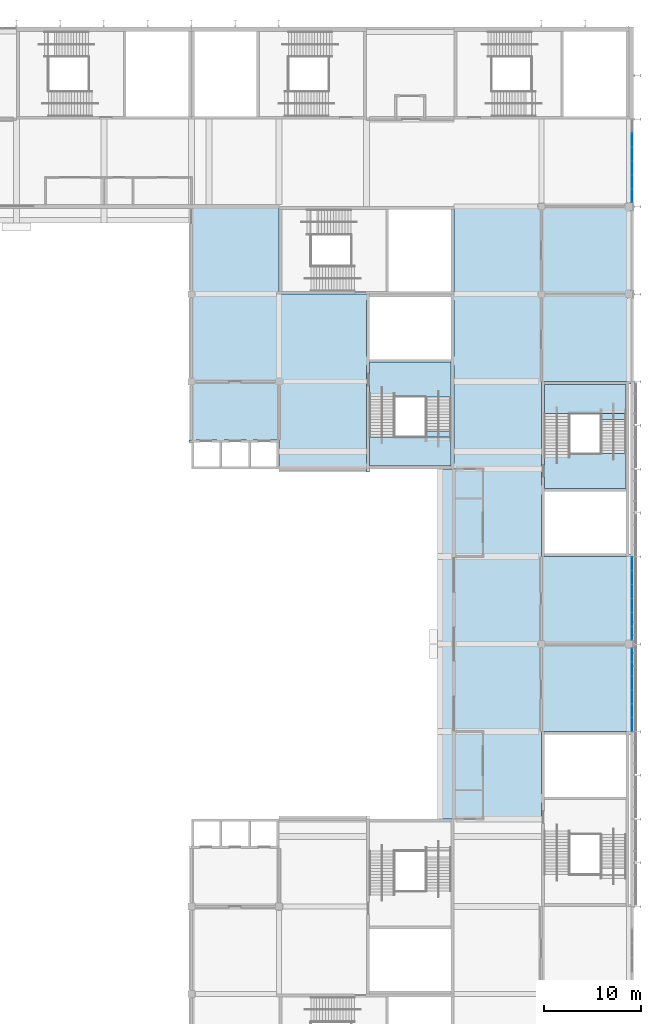
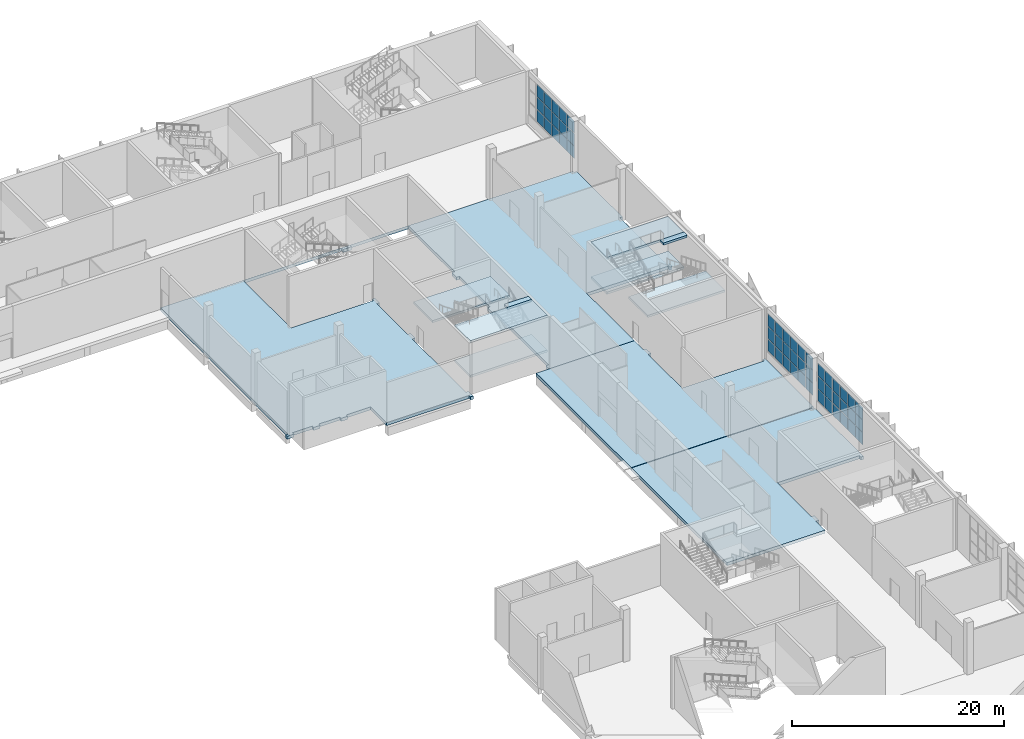
# One storey, part 35 of 89: 51 plates, 11 slabs, 5 elements without a shape of their own.
"""IFC4 building model written with IfcOpenShell, lengths in metres."""

from ifc_helpers import new_model, si_unit, direction, frame, origin, origin_2d, place, context, subcontext, project, spatial, polyline, rectangle, outline, extrude, material, layer, layer_set, type_object, element, aggregate, save


model = new_model("IFC4")

# Units and contexts
model_context = context("Model", 3, precision=1e-05, world=origin(), true_north=direction((0.0, 1.0)))
body_context = subcontext(model_context, "Body", "Model", "MODEL_VIEW")
ifc_project = project(units=[si_unit("LENGTHUNIT", "METRE"), si_unit("AREAUNIT", "SQUARE_METRE"), si_unit("VOLUMEUNIT", "CUBIC_METRE"), si_unit("PLANEANGLEUNIT", "RADIAN"), si_unit("MASSUNIT", "GRAM", prefix="KILO")], contexts=[model_context])

# Site, building, storey
site_placement = place(None, origin())
site = spatial("IfcSite", under=ifc_project, at=site_placement, CompositionType="ELEMENT")
building_placement = place(site_placement, origin())
building = spatial("IfcBuilding", under=site, at=building_placement, Name="Silverbay Arena", CompositionType="ELEMENT")
storey_placement = place(building_placement, frame((0.0, 0.0, 22.0)))
storey = spatial("IfcBuildingStorey", under=building, at=storey_placement, Name="L03", CompositionType="ELEMENT", Elevation=22.0)

# Curtain wall, plates
ifc_material_1 = material(Name="Aluminium framed curtain wall", Category="aluminium")
curtain_wall_type = type_object("IfcCurtainWallType", Name="Curtain wall 8600 x 4400", PredefinedType="NOTDEFINED", material=ifc_material_1)
curtain_wall_1_placement = place(storey_placement, origin())
curtain_wall_1 = element("IfcCurtainWall", 1, at=curtain_wall_1_placement, inside=storey, type_object=curtain_wall_type, Name="East curtain wall L03 bay 7", PredefinedType="NOTDEFINED")
ifc_material_2 = material(Name="Laminated glass", Category="glass")
ifc_layer_1 = layer(ifc_material_2, 0.028076171875)
ifc_layer_set_1 = layer_set([ifc_layer_1], Name="Laminated glass")
plate_type = type_object("IfcPlateType", Name="Glass panel 28", PredefinedType="CURTAIN_PANEL", material=ifc_layer_set_1)
plate_1_placement = place(storey_placement, frame((207.330078125, 72.731689453125, 1.050048828125), z_axis=(0.0, 0.0, 1.0), x_axis=(0.0, 1.0, 0.0)))
plate_1 = element("IfcPlate", 2, at=plate_1_placement, type_object=plate_type, Name="CW12 panel 1.1", PredefinedType="CURTAIN_PANEL", context=body_context, shape_type="SweptSolid", body=[
    extrude(rectangle(XDim=1.34326171875, YDim=0.028076171875, at=origin_2d()), origin(), (0.0, 0.0, 1.0), 1.3916015625),
])
plate_2_placement = place(storey_placement, frame((207.330078125, 72.731689453125, 2.49169921875), z_axis=(0.0, 0.0, 1.0), x_axis=(0.0, 1.0, 0.0)))
plate_2 = element("IfcPlate", 3, at=plate_2_placement, type_object=plate_type, Name="CW12 panel 1.2", PredefinedType="CURTAIN_PANEL", context=body_context, shape_type="SweptSolid", body=[
    extrude(rectangle(XDim=1.34326171875, YDim=0.028076171875, at=origin_2d()), origin(), (0.0, 0.0, 1.0), 1.416748046875),
])
plate_3_placement = place(storey_placement, frame((207.330078125, 72.731689453125, 3.958251953125), z_axis=(0.0, 0.0, 1.0), x_axis=(0.0, 1.0, 0.0)))
plate_3 = element("IfcPlate", 4, at=plate_3_placement, type_object=plate_type, Name="CW12 panel 1.3", PredefinedType="CURTAIN_PANEL", context=body_context, shape_type="SweptSolid", body=[
    extrude(rectangle(XDim=1.34326171875, YDim=0.028076171875, at=origin_2d()), origin(), (0.0, 0.0, 1.0), 1.3916015625),
])
plate_4_placement = place(storey_placement, frame((207.330078125, 74.14990234375, 1.050048828125), z_axis=(0.0, 0.0, 1.0), x_axis=(0.0, 1.0, 0.0)))
plate_4 = element("IfcPlate", 5, at=plate_4_placement, type_object=plate_type, Name="CW12 panel 2.1", PredefinedType="CURTAIN_PANEL", context=body_context, shape_type="SweptSolid", body=[
    extrude(rectangle(XDim=1.373291015625, YDim=0.028076171875, at=origin_2d()), origin(), (0.0, 0.0, 1.0), 1.3916015625),
])
plate_5_placement = place(storey_placement, frame((207.330078125, 74.14990234375, 2.49169921875), z_axis=(0.0, 0.0, 1.0), x_axis=(0.0, 1.0, 0.0)))
plate_5 = element("IfcPlate", 6, at=plate_5_placement, type_object=plate_type, Name="CW12 panel 2.2", PredefinedType="CURTAIN_PANEL", context=body_context, shape_type="SweptSolid", body=[
    extrude(rectangle(XDim=1.373291015625, YDim=0.028076171875, at=origin_2d()), origin(), (0.0, 0.0, 1.0), 1.416748046875),
])
plate_6_placement = place(storey_placement, frame((207.330078125, 74.14990234375, 3.958251953125), z_axis=(0.0, 0.0, 1.0), x_axis=(0.0, 1.0, 0.0)))
plate_6 = element("IfcPlate", 7, at=plate_6_placement, type_object=plate_type, Name="CW12 panel 2.3", PredefinedType="CURTAIN_PANEL", context=body_context, shape_type="SweptSolid", body=[
    extrude(rectangle(XDim=1.373291015625, YDim=0.028076171875, at=origin_2d()), origin(), (0.0, 0.0, 1.0), 1.3916015625),
])
plate_7_placement = place(storey_placement, frame((207.330078125, 75.583251953125, 1.050048828125), z_axis=(0.0, 0.0, 1.0), x_axis=(0.0, 1.0, 0.0)))
plate_7 = element("IfcPlate", 8, at=plate_7_placement, type_object=plate_type, Name="CW12 panel 3.1", PredefinedType="CURTAIN_PANEL", context=body_context, shape_type="SweptSolid", body=[
    extrude(rectangle(XDim=1.373291015625, YDim=0.028076171875, at=origin_2d()), origin(), (0.0, 0.0, 1.0), 1.3916015625),
])
plate_8_placement = place(storey_placement, frame((207.330078125, 75.583251953125, 2.49169921875), z_axis=(0.0, 0.0, 1.0), x_axis=(0.0, 1.0, 0.0)))
plate_8 = element("IfcPlate", 9, at=plate_8_placement, type_object=plate_type, Name="CW12 panel 3.2", PredefinedType="CURTAIN_PANEL", context=body_context, shape_type="SweptSolid", body=[
    extrude(rectangle(XDim=1.373291015625, YDim=0.028076171875, at=origin_2d()), origin(), (0.0, 0.0, 1.0), 1.416748046875),
])
plate_9_placement = place(storey_placement, frame((207.330078125, 75.583251953125, 3.958251953125), z_axis=(0.0, 0.0, 1.0), x_axis=(0.0, 1.0, 0.0)))
plate_9 = element("IfcPlate", 10, at=plate_9_placement, type_object=plate_type, Name="CW12 panel 3.3", PredefinedType="CURTAIN_PANEL", context=body_context, shape_type="SweptSolid", body=[
    extrude(rectangle(XDim=1.373291015625, YDim=0.028076171875, at=origin_2d()), origin(), (0.0, 0.0, 1.0), 1.3916015625),
])
plate_10_placement = place(storey_placement, frame((207.330078125, 77.0166015625, 1.050048828125), z_axis=(0.0, 0.0, 1.0), x_axis=(0.0, 1.0, 0.0)))
plate_10 = element("IfcPlate", 11, at=plate_10_placement, type_object=plate_type, Name="CW12 panel 4.1", PredefinedType="CURTAIN_PANEL", context=body_context, shape_type="SweptSolid", body=[
    extrude(rectangle(XDim=1.373291015625, YDim=0.028076171875, at=origin_2d()), origin(), (0.0, 0.0, 1.0), 1.3916015625),
])
plate_11_placement = place(storey_placement, frame((207.330078125, 77.0166015625, 2.49169921875), z_axis=(0.0, 0.0, 1.0), x_axis=(0.0, 1.0, 0.0)))
plate_11 = element("IfcPlate", 12, at=plate_11_placement, type_object=plate_type, Name="CW12 panel 4.2", PredefinedType="CURTAIN_PANEL", context=body_context, shape_type="SweptSolid", body=[
    extrude(rectangle(XDim=1.373291015625, YDim=0.028076171875, at=origin_2d()), origin(), (0.0, 0.0, 1.0), 1.416748046875),
])
plate_12_placement = place(storey_placement, frame((207.330078125, 77.0166015625, 3.958251953125), z_axis=(0.0, 0.0, 1.0), x_axis=(0.0, 1.0, 0.0)))
plate_12 = element("IfcPlate", 13, at=plate_12_placement, type_object=plate_type, Name="CW12 panel 4.3", PredefinedType="CURTAIN_PANEL", context=body_context, shape_type="SweptSolid", body=[
    extrude(rectangle(XDim=1.373291015625, YDim=0.028076171875, at=origin_2d()), origin(), (0.0, 0.0, 1.0), 1.3916015625),
])
plate_13_placement = place(storey_placement, frame((207.330078125, 78.449951171875, 1.050048828125), z_axis=(0.0, 0.0, 1.0), x_axis=(0.0, 1.0, 0.0)))
plate_13 = element("IfcPlate", 14, at=plate_13_placement, type_object=plate_type, Name="CW12 panel 5.1", PredefinedType="CURTAIN_PANEL", context=body_context, shape_type="SweptSolid", body=[
    extrude(rectangle(XDim=1.373291015625, YDim=0.028076171875, at=origin_2d()), origin(), (0.0, 0.0, 1.0), 1.3916015625),
])
plate_14_placement = place(storey_placement, frame((207.330078125, 78.449951171875, 2.49169921875), z_axis=(0.0, 0.0, 1.0), x_axis=(0.0, 1.0, 0.0)))
plate_14 = element("IfcPlate", 15, at=plate_14_placement, type_object=plate_type, Name="CW12 panel 5.2", PredefinedType="CURTAIN_PANEL", context=body_context, shape_type="SweptSolid", body=[
    extrude(rectangle(XDim=1.373291015625, YDim=0.028076171875, at=origin_2d()), origin(), (0.0, 0.0, 1.0), 1.416748046875),
])
plate_15_placement = place(storey_placement, frame((207.330078125, 78.449951171875, 3.958251953125), z_axis=(0.0, 0.0, 1.0), x_axis=(0.0, 1.0, 0.0)))
plate_15 = element("IfcPlate", 16, at=plate_15_placement, type_object=plate_type, Name="CW12 panel 5.3", PredefinedType="CURTAIN_PANEL", context=body_context, shape_type="SweptSolid", body=[
    extrude(rectangle(XDim=1.373291015625, YDim=0.028076171875, at=origin_2d()), origin(), (0.0, 0.0, 1.0), 1.3916015625),
])
plate_16_placement = place(storey_placement, frame((207.330078125, 79.868408203125, 1.050048828125), z_axis=(0.0, 0.0, 1.0), x_axis=(0.0, 1.0, 0.0)))
plate_16 = element("IfcPlate", 17, at=plate_16_placement, type_object=plate_type, Name="CW12 panel 6.1", PredefinedType="CURTAIN_PANEL", context=body_context, shape_type="SweptSolid", body=[
    extrude(rectangle(XDim=1.34326171875, YDim=0.028076171875, at=origin_2d()), origin(), (0.0, 0.0, 1.0), 1.3916015625),
])
plate_17_placement = place(storey_placement, frame((207.330078125, 79.868408203125, 2.49169921875), z_axis=(0.0, 0.0, 1.0), x_axis=(0.0, 1.0, 0.0)))
plate_17 = element("IfcPlate", 18, at=plate_17_placement, type_object=plate_type, Name="CW12 panel 6.2", PredefinedType="CURTAIN_PANEL", context=body_context, shape_type="SweptSolid", body=[
    extrude(rectangle(XDim=1.34326171875, YDim=0.028076171875, at=origin_2d()), origin(), (0.0, 0.0, 1.0), 1.416748046875),
])
plate_18_placement = place(storey_placement, frame((207.330078125, 79.868408203125, 3.958251953125), z_axis=(0.0, 0.0, 1.0), x_axis=(0.0, 1.0, 0.0)))
plate_18 = element("IfcPlate", 19, at=plate_18_placement, type_object=plate_type, Name="CW12 panel 6.3", PredefinedType="CURTAIN_PANEL", context=body_context, shape_type="SweptSolid", body=[
    extrude(rectangle(XDim=1.34326171875, YDim=0.028076171875, at=origin_2d()), origin(), (0.0, 0.0, 1.0), 1.3916015625),
])
aggregate(curtain_wall_1, [plate_1, plate_2, plate_3, plate_4, plate_5, plate_6, plate_7, plate_8, plate_9, plate_10, plate_11, plate_12, plate_13, plate_14, plate_15, plate_16, plate_17, plate_18])

curtain_wall_2_placement = place(storey_placement, origin())
curtain_wall_2 = element("IfcCurtainWall", 20, at=curtain_wall_2_placement, inside=storey, type_object=curtain_wall_type, Name="East curtain wall L03 bay 8", PredefinedType="NOTDEFINED")
plate_19_placement = place(storey_placement, frame((207.330078125, 82.131591796875, 1.050048828125), z_axis=(0.0, 0.0, 1.0), x_axis=(0.0, 1.0, 0.0)))
plate_19 = element("IfcPlate", 21, at=plate_19_placement, type_object=plate_type, Name="CW12 panel 1.1", PredefinedType="CURTAIN_PANEL", context=body_context, shape_type="SweptSolid", body=[
    extrude(rectangle(XDim=1.34326171875, YDim=0.028076171875, at=origin_2d()), origin(), (0.0, 0.0, 1.0), 1.3916015625),
])
plate_20_placement = place(storey_placement, frame((207.330078125, 82.131591796875, 2.49169921875), z_axis=(0.0, 0.0, 1.0), x_axis=(0.0, 1.0, 0.0)))
plate_20 = element("IfcPlate", 22, at=plate_20_placement, type_object=plate_type, Name="CW12 panel 1.2", PredefinedType="CURTAIN_PANEL", context=body_context, shape_type="SweptSolid", body=[
    extrude(rectangle(XDim=1.34326171875, YDim=0.028076171875, at=origin_2d()), origin(), (0.0, 0.0, 1.0), 1.416748046875),
])
plate_21_placement = place(storey_placement, frame((207.330078125, 82.131591796875, 3.958251953125), z_axis=(0.0, 0.0, 1.0), x_axis=(0.0, 1.0, 0.0)))
plate_21 = element("IfcPlate", 23, at=plate_21_placement, type_object=plate_type, Name="CW12 panel 1.3", PredefinedType="CURTAIN_PANEL", context=body_context, shape_type="SweptSolid", body=[
    extrude(rectangle(XDim=1.34326171875, YDim=0.028076171875, at=origin_2d()), origin(), (0.0, 0.0, 1.0), 1.3916015625),
])
plate_22_placement = place(storey_placement, frame((207.330078125, 83.550048828125, 1.050048828125), z_axis=(0.0, 0.0, 1.0), x_axis=(0.0, 1.0, 0.0)))
plate_22 = element("IfcPlate", 24, at=plate_22_placement, type_object=plate_type, Name="CW12 panel 2.1", PredefinedType="CURTAIN_PANEL", context=body_context, shape_type="SweptSolid", body=[
    extrude(rectangle(XDim=1.373291015625, YDim=0.028076171875, at=origin_2d()), origin(), (0.0, 0.0, 1.0), 1.3916015625),
])
plate_23_placement = place(storey_placement, frame((207.330078125, 83.550048828125, 2.49169921875), z_axis=(0.0, 0.0, 1.0), x_axis=(0.0, 1.0, 0.0)))
plate_23 = element("IfcPlate", 25, at=plate_23_placement, type_object=plate_type, Name="CW12 panel 2.2", PredefinedType="CURTAIN_PANEL", context=body_context, shape_type="SweptSolid", body=[
    extrude(rectangle(XDim=1.373291015625, YDim=0.028076171875, at=origin_2d()), origin(), (0.0, 0.0, 1.0), 1.416748046875),
])
plate_24_placement = place(storey_placement, frame((207.330078125, 83.550048828125, 3.958251953125), z_axis=(0.0, 0.0, 1.0), x_axis=(0.0, 1.0, 0.0)))
plate_24 = element("IfcPlate", 26, at=plate_24_placement, type_object=plate_type, Name="CW12 panel 2.3", PredefinedType="CURTAIN_PANEL", context=body_context, shape_type="SweptSolid", body=[
    extrude(rectangle(XDim=1.373291015625, YDim=0.028076171875, at=origin_2d()), origin(), (0.0, 0.0, 1.0), 1.3916015625),
])
plate_25_placement = place(storey_placement, frame((207.330078125, 84.9833984375, 1.050048828125), z_axis=(0.0, 0.0, 1.0), x_axis=(0.0, 1.0, 0.0)))
plate_25 = element("IfcPlate", 27, at=plate_25_placement, type_object=plate_type, Name="CW12 panel 3.1", PredefinedType="CURTAIN_PANEL", context=body_context, shape_type="SweptSolid", body=[
    extrude(rectangle(XDim=1.373291015625, YDim=0.028076171875, at=origin_2d()), origin(), (0.0, 0.0, 1.0), 1.3916015625),
])
plate_26_placement = place(storey_placement, frame((207.330078125, 84.9833984375, 2.49169921875), z_axis=(0.0, 0.0, 1.0), x_axis=(0.0, 1.0, 0.0)))
plate_26 = element("IfcPlate", 28, at=plate_26_placement, type_object=plate_type, Name="CW12 panel 3.2", PredefinedType="CURTAIN_PANEL", context=body_context, shape_type="SweptSolid", body=[
    extrude(rectangle(XDim=1.373291015625, YDim=0.028076171875, at=origin_2d()), origin(), (0.0, 0.0, 1.0), 1.416748046875),
])
plate_27_placement = place(storey_placement, frame((207.330078125, 84.9833984375, 3.958251953125), z_axis=(0.0, 0.0, 1.0), x_axis=(0.0, 1.0, 0.0)))
plate_27 = element("IfcPlate", 29, at=plate_27_placement, type_object=plate_type, Name="CW12 panel 3.3", PredefinedType="CURTAIN_PANEL", context=body_context, shape_type="SweptSolid", body=[
    extrude(rectangle(XDim=1.373291015625, YDim=0.028076171875, at=origin_2d()), origin(), (0.0, 0.0, 1.0), 1.3916015625),
])
plate_28_placement = place(storey_placement, frame((207.330078125, 86.416748046875, 1.050048828125), z_axis=(0.0, 0.0, 1.0), x_axis=(0.0, 1.0, 0.0)))
plate_28 = element("IfcPlate", 30, at=plate_28_placement, type_object=plate_type, Name="CW12 panel 4.1", PredefinedType="CURTAIN_PANEL", context=body_context, shape_type="SweptSolid", body=[
    extrude(rectangle(XDim=1.373291015625, YDim=0.028076171875, at=origin_2d()), origin(), (0.0, 0.0, 1.0), 1.3916015625),
])
plate_29_placement = place(storey_placement, frame((207.330078125, 86.416748046875, 2.49169921875), z_axis=(0.0, 0.0, 1.0), x_axis=(0.0, 1.0, 0.0)))
plate_29 = element("IfcPlate", 31, at=plate_29_placement, type_object=plate_type, Name="CW12 panel 4.2", PredefinedType="CURTAIN_PANEL", context=body_context, shape_type="SweptSolid", body=[
    extrude(rectangle(XDim=1.373291015625, YDim=0.028076171875, at=origin_2d()), origin(), (0.0, 0.0, 1.0), 1.416748046875),
])
plate_30_placement = place(storey_placement, frame((207.330078125, 86.416748046875, 3.958251953125), z_axis=(0.0, 0.0, 1.0), x_axis=(0.0, 1.0, 0.0)))
plate_30 = element("IfcPlate", 32, at=plate_30_placement, type_object=plate_type, Name="CW12 panel 4.3", PredefinedType="CURTAIN_PANEL", context=body_context, shape_type="SweptSolid", body=[
    extrude(rectangle(XDim=1.373291015625, YDim=0.028076171875, at=origin_2d()), origin(), (0.0, 0.0, 1.0), 1.3916015625),
])
plate_31_placement = place(storey_placement, frame((207.330078125, 87.85009765625, 1.050048828125), z_axis=(0.0, 0.0, 1.0), x_axis=(0.0, 1.0, 0.0)))
plate_31 = element("IfcPlate", 33, at=plate_31_placement, type_object=plate_type, Name="CW12 panel 5.1", PredefinedType="CURTAIN_PANEL", context=body_context, shape_type="SweptSolid", body=[
    extrude(rectangle(XDim=1.373291015625, YDim=0.028076171875, at=origin_2d()), origin(), (0.0, 0.0, 1.0), 1.3916015625),
])
plate_32_placement = place(storey_placement, frame((207.330078125, 87.85009765625, 2.49169921875), z_axis=(0.0, 0.0, 1.0), x_axis=(0.0, 1.0, 0.0)))
plate_32 = element("IfcPlate", 34, at=plate_32_placement, type_object=plate_type, Name="CW12 panel 5.2", PredefinedType="CURTAIN_PANEL", context=body_context, shape_type="SweptSolid", body=[
    extrude(rectangle(XDim=1.373291015625, YDim=0.028076171875, at=origin_2d()), origin(), (0.0, 0.0, 1.0), 1.416748046875),
])
plate_33_placement = place(storey_placement, frame((207.330078125, 87.85009765625, 3.958251953125), z_axis=(0.0, 0.0, 1.0), x_axis=(0.0, 1.0, 0.0)))
plate_33 = element("IfcPlate", 35, at=plate_33_placement, type_object=plate_type, Name="CW12 panel 5.3", PredefinedType="CURTAIN_PANEL", context=body_context, shape_type="SweptSolid", body=[
    extrude(rectangle(XDim=1.373291015625, YDim=0.028076171875, at=origin_2d()), origin(), (0.0, 0.0, 1.0), 1.3916015625),
])
plate_34_placement = place(storey_placement, frame((207.330078125, 89.268310546875, 1.050048828125), z_axis=(0.0, 0.0, 1.0), x_axis=(0.0, 1.0, 0.0)))
plate_34 = element("IfcPlate", 36, at=plate_34_placement, type_object=plate_type, Name="CW12 panel 6.1", PredefinedType="CURTAIN_PANEL", context=body_context, shape_type="SweptSolid", body=[
    extrude(rectangle(XDim=1.34326171875, YDim=0.028076171875, at=origin_2d()), origin(), (0.0, 0.0, 1.0), 1.3916015625),
])
plate_35_placement = place(storey_placement, frame((207.330078125, 89.268310546875, 2.49169921875), z_axis=(0.0, 0.0, 1.0), x_axis=(0.0, 1.0, 0.0)))
plate_35 = element("IfcPlate", 37, at=plate_35_placement, type_object=plate_type, Name="CW12 panel 6.2", PredefinedType="CURTAIN_PANEL", context=body_context, shape_type="SweptSolid", body=[
    extrude(rectangle(XDim=1.34326171875, YDim=0.028076171875, at=origin_2d()), origin(), (0.0, 0.0, 1.0), 1.416748046875),
])
plate_36_placement = place(storey_placement, frame((207.330078125, 89.268310546875, 3.958251953125), z_axis=(0.0, 0.0, 1.0), x_axis=(0.0, 1.0, 0.0)))
plate_36 = element("IfcPlate", 38, at=plate_36_placement, type_object=plate_type, Name="CW12 panel 6.3", PredefinedType="CURTAIN_PANEL", context=body_context, shape_type="SweptSolid", body=[
    extrude(rectangle(XDim=1.34326171875, YDim=0.028076171875, at=origin_2d()), origin(), (0.0, 0.0, 1.0), 1.3916015625),
])
aggregate(curtain_wall_2, [plate_19, plate_20, plate_21, plate_22, plate_23, plate_24, plate_25, plate_26, plate_27, plate_28, plate_29, plate_30, plate_31, plate_32, plate_33, plate_34, plate_35, plate_36])

curtain_wall_3_placement = place(storey_placement, origin())
curtain_wall_3 = element("IfcCurtainWall", 39, at=curtain_wall_3_placement, inside=storey, type_object=curtain_wall_type, Name="East curtain wall L03 bay 13", PredefinedType="NOTDEFINED")
plate_37_placement = place(storey_placement, frame((207.330078125, 127.131591796875, 1.050048828125), z_axis=(0.0, 0.0, 1.0), x_axis=(0.0, 1.0, 0.0)))
plate_37 = element("IfcPlate", 40, at=plate_37_placement, type_object=plate_type, Name="CW12 panel 1.1", PredefinedType="CURTAIN_PANEL", context=body_context, shape_type="SweptSolid", body=[
    extrude(rectangle(XDim=1.34326171875, YDim=0.028076171875, at=origin_2d()), origin(), (0.0, 0.0, 1.0), 1.3916015625),
])
plate_38_placement = place(storey_placement, frame((207.330078125, 127.131591796875, 2.49169921875), z_axis=(0.0, 0.0, 1.0), x_axis=(0.0, 1.0, 0.0)))
plate_38 = element("IfcPlate", 41, at=plate_38_placement, type_object=plate_type, Name="CW12 panel 1.2", PredefinedType="CURTAIN_PANEL", context=body_context, shape_type="SweptSolid", body=[
    extrude(rectangle(XDim=1.34326171875, YDim=0.028076171875, at=origin_2d()), origin(), (0.0, 0.0, 1.0), 1.416748046875),
])
plate_39_placement = place(storey_placement, frame((207.330078125, 127.131591796875, 3.958251953125), z_axis=(0.0, 0.0, 1.0), x_axis=(0.0, 1.0, 0.0)))
plate_39 = element("IfcPlate", 42, at=plate_39_placement, type_object=plate_type, Name="CW12 panel 1.3", PredefinedType="CURTAIN_PANEL", context=body_context, shape_type="SweptSolid", body=[
    extrude(rectangle(XDim=1.34326171875, YDim=0.028076171875, at=origin_2d()), origin(), (0.0, 0.0, 1.0), 1.3916015625),
])
plate_40_placement = place(storey_placement, frame((207.330078125, 128.550048828125, 1.050048828125), z_axis=(0.0, 0.0, 1.0), x_axis=(0.0, 1.0, 0.0)))
plate_40 = element("IfcPlate", 43, at=plate_40_placement, type_object=plate_type, Name="CW12 panel 2.1", PredefinedType="CURTAIN_PANEL", context=body_context, shape_type="SweptSolid", body=[
    extrude(rectangle(XDim=1.373291015625, YDim=0.028076171875, at=origin_2d()), origin(), (0.0, 0.0, 1.0), 1.3916015625),
])
plate_41_placement = place(storey_placement, frame((207.330078125, 128.550048828125, 2.49169921875), z_axis=(0.0, 0.0, 1.0), x_axis=(0.0, 1.0, 0.0)))
plate_41 = element("IfcPlate", 44, at=plate_41_placement, type_object=plate_type, Name="CW12 panel 2.2", PredefinedType="CURTAIN_PANEL", context=body_context, shape_type="SweptSolid", body=[
    extrude(rectangle(XDim=1.373291015625, YDim=0.028076171875, at=origin_2d()), origin(), (0.0, 0.0, 1.0), 1.416748046875),
])
plate_42_placement = place(storey_placement, frame((207.330078125, 128.550048828125, 3.958251953125), z_axis=(0.0, 0.0, 1.0), x_axis=(0.0, 1.0, 0.0)))
plate_42 = element("IfcPlate", 45, at=plate_42_placement, type_object=plate_type, Name="CW12 panel 2.3", PredefinedType="CURTAIN_PANEL", context=body_context, shape_type="SweptSolid", body=[
    extrude(rectangle(XDim=1.373291015625, YDim=0.028076171875, at=origin_2d()), origin(), (0.0, 0.0, 1.0), 1.3916015625),
])
plate_43_placement = place(storey_placement, frame((207.330078125, 129.9833984375, 1.050048828125), z_axis=(0.0, 0.0, 1.0), x_axis=(0.0, 1.0, 0.0)))
plate_43 = element("IfcPlate", 46, at=plate_43_placement, type_object=plate_type, Name="CW12 panel 3.1", PredefinedType="CURTAIN_PANEL", context=body_context, shape_type="SweptSolid", body=[
    extrude(rectangle(XDim=1.373291015625, YDim=0.028076171875, at=origin_2d()), origin(), (0.0, 0.0, 1.0), 1.3916015625),
])
plate_44_placement = place(storey_placement, frame((207.330078125, 129.9833984375, 2.49169921875), z_axis=(0.0, 0.0, 1.0), x_axis=(0.0, 1.0, 0.0)))
plate_44 = element("IfcPlate", 47, at=plate_44_placement, type_object=plate_type, Name="CW12 panel 3.2", PredefinedType="CURTAIN_PANEL", context=body_context, shape_type="SweptSolid", body=[
    extrude(rectangle(XDim=1.373291015625, YDim=0.028076171875, at=origin_2d()), origin(), (0.0, 0.0, 1.0), 1.416748046875),
])
plate_45_placement = place(storey_placement, frame((207.330078125, 129.9833984375, 3.958251953125), z_axis=(0.0, 0.0, 1.0), x_axis=(0.0, 1.0, 0.0)))
plate_45 = element("IfcPlate", 48, at=plate_45_placement, type_object=plate_type, Name="CW12 panel 3.3", PredefinedType="CURTAIN_PANEL", context=body_context, shape_type="SweptSolid", body=[
    extrude(rectangle(XDim=1.373291015625, YDim=0.028076171875, at=origin_2d()), origin(), (0.0, 0.0, 1.0), 1.3916015625),
])
plate_46_placement = place(storey_placement, frame((207.330078125, 131.416748046875, 1.050048828125), z_axis=(0.0, 0.0, 1.0), x_axis=(0.0, 1.0, 0.0)))
plate_46 = element("IfcPlate", 49, at=plate_46_placement, type_object=plate_type, Name="CW12 panel 4.1", PredefinedType="CURTAIN_PANEL", context=body_context, shape_type="SweptSolid", body=[
    extrude(rectangle(XDim=1.373291015625, YDim=0.028076171875, at=origin_2d()), origin(), (0.0, 0.0, 1.0), 1.3916015625),
])
plate_47_placement = place(storey_placement, frame((207.330078125, 131.416748046875, 2.49169921875), z_axis=(0.0, 0.0, 1.0), x_axis=(0.0, 1.0, 0.0)))
plate_47 = element("IfcPlate", 50, at=plate_47_placement, type_object=plate_type, Name="CW12 panel 4.2", PredefinedType="CURTAIN_PANEL", context=body_context, shape_type="SweptSolid", body=[
    extrude(rectangle(XDim=1.373291015625, YDim=0.028076171875, at=origin_2d()), origin(), (0.0, 0.0, 1.0), 1.416748046875),
])
plate_48_placement = place(storey_placement, frame((207.330078125, 131.416748046875, 3.958251953125), z_axis=(0.0, 0.0, 1.0), x_axis=(0.0, 1.0, 0.0)))
plate_48 = element("IfcPlate", 51, at=plate_48_placement, type_object=plate_type, Name="CW12 panel 4.3", PredefinedType="CURTAIN_PANEL", context=body_context, shape_type="SweptSolid", body=[
    extrude(rectangle(XDim=1.373291015625, YDim=0.028076171875, at=origin_2d()), origin(), (0.0, 0.0, 1.0), 1.3916015625),
])
plate_49_placement = place(storey_placement, frame((207.330078125, 132.85009765625, 1.050048828125), z_axis=(0.0, 0.0, 1.0), x_axis=(0.0, 1.0, 0.0)))
plate_49 = element("IfcPlate", 52, at=plate_49_placement, type_object=plate_type, Name="CW12 panel 5.1", PredefinedType="CURTAIN_PANEL", context=body_context, shape_type="SweptSolid", body=[
    extrude(rectangle(XDim=1.373291015625, YDim=0.028076171875, at=origin_2d()), origin(), (0.0, 0.0, 1.0), 1.3916015625),
])
plate_50_placement = place(storey_placement, frame((207.330078125, 132.85009765625, 2.49169921875), z_axis=(0.0, 0.0, 1.0), x_axis=(0.0, 1.0, 0.0)))
plate_50 = element("IfcPlate", 53, at=plate_50_placement, type_object=plate_type, Name="CW12 panel 5.2", PredefinedType="CURTAIN_PANEL", context=body_context, shape_type="SweptSolid", body=[
    extrude(rectangle(XDim=1.373291015625, YDim=0.028076171875, at=origin_2d()), origin(), (0.0, 0.0, 1.0), 1.416748046875),
])
plate_51_placement = place(storey_placement, frame((207.330078125, 132.85009765625, 3.958251953125), z_axis=(0.0, 0.0, 1.0), x_axis=(0.0, 1.0, 0.0)))
plate_51 = element("IfcPlate", 54, at=plate_51_placement, type_object=plate_type, Name="CW12 panel 5.3", PredefinedType="CURTAIN_PANEL", context=body_context, shape_type="SweptSolid", body=[
    extrude(rectangle(XDim=1.373291015625, YDim=0.028076171875, at=origin_2d()), origin(), (0.0, 0.0, 1.0), 1.3916015625),
])
aggregate(curtain_wall_3, [plate_37, plate_38, plate_39, plate_40, plate_41, plate_42, plate_43, plate_44, plate_45, plate_46, plate_47, plate_48, plate_49, plate_50, plate_51])

# Slabs
ifc_material_3 = material(Name="Concrete Grade C45", Category="concrete")
ifc_layer_2 = layer(ifc_material_3, 0.35009765625)
ifc_layer_set_2 = layer_set([ifc_layer_2], Name="Concrete Grade C45")
slab_type_1 = type_object("IfcSlabType", Name="RC floor slab 350", PredefinedType="FLOOR", material=ifc_layer_set_2)
slab_1_placement = place(storey_placement, frame((0.0, 0.0, -0.35009765625)))
element("IfcSlab", 55, at=slab_1_placement, inside=storey, type_object=slab_type_1, Name="Floor slab L03 unit 8", PredefinedType="FLOOR", context=body_context, shape_type="SweptSolid", body=[
    extrude(outline(polyline([(198.300048828125, 64.699951171875), (198.0, 64.699951171875), (198.0, 63.0), (187.300048828125, 63.0), (187.300048828125, 81.0), (206.925048828125, 81.0), (206.925048828125, 80.824951171875), (207.199951171875, 80.824951171875), (207.199951171875, 71.72509765625), (206.925048828125, 71.72509765625), (206.925048828125, 72.0), (198.0, 72.0), (198.0, 65.60009765625), (198.300048828125, 65.60009765625), (198.300048828125, 64.699951171875)])), origin(), (0.0, 0.0, 1.0), 0.35009765625),
])
slab_2_placement = place(storey_placement, frame((0.0, 0.0, -0.35009765625)))
element("IfcSlab", 56, at=slab_2_placement, inside=storey, type_object=slab_type_1, Name="Floor slab L03 unit 8 B", PredefinedType="FLOOR", context=body_context, shape_type="SweptSolid", body=[
    extrude(outline(polyline([(187.300048828125, 99.0), (198.0, 99.0), (198.0, 97.300048828125), (198.300048828125, 97.300048828125), (198.300048828125, 96.39990234375), (198.0, 96.39990234375), (198.0, 90.0), (206.925048828125, 90.0), (206.925048828125, 90.27490234375), (207.199951171875, 90.27490234375), (207.199951171875, 81.175048828125), (206.925048828125, 81.175048828125), (206.925048828125, 81.050048828125), (187.300048828125, 81.050048828125), (187.300048828125, 99.0)])), origin(), (0.0, 0.0, 1.0), 0.35009765625),
])
slab_3_placement = place(storey_placement, frame((0.0, 0.0, -0.35009765625)))
element("IfcSlab", 57, at=slab_3_placement, inside=storey, type_object=slab_type_1, Name="Floor slab L03 unit 11", PredefinedType="FLOOR", context=body_context, shape_type="SweptSolid", body=[
    extrude(outline(polyline([(207.25, 107.89990234375), (207.14990234375, 107.89990234375), (207.14990234375, 107.77490234375), (206.925048828125, 107.77490234375), (206.925048828125, 108.0), (198.0, 108.0), (198.0, 99.0), (188.699951171875, 99.0), (188.699951171875, 99.60009765625), (189.0, 99.60009765625), (189.0, 109.699951171875), (188.699951171875, 109.699951171875), (188.699951171875, 110.60009765625), (189.0, 110.60009765625), (189.0, 116.39990234375), (188.699951171875, 116.39990234375), (188.699951171875, 117.300048828125), (189.0, 117.300048828125), (189.0, 126.0), (182.60009765625, 126.0), (182.60009765625, 125.699951171875), (181.699951171875, 125.699951171875), (181.699951171875, 126.0), (171.0, 126.0), (171.0, 117.0), (180.0, 117.0), (180.0, 117.300048828125), (180.300048828125, 117.300048828125), (180.300048828125, 116.39990234375), (180.0, 116.39990234375), (180.0, 110.60009765625), (180.300048828125, 110.60009765625), (180.300048828125, 109.699951171875), (180.0, 109.699951171875), (180.0, 99.60009765625), (180.300048828125, 99.60009765625), (180.300048828125, 98.699951171875), (180.0, 98.699951171875), (180.0, 99.0), (171.0, 99.0), (171.0, 102.0), (168.35009765625, 102.0), (168.35009765625, 101.75), (167.64990234375, 101.75), (167.64990234375, 102.0), (165.35009765625, 102.0), (165.35009765625, 101.75), (164.64990234375, 101.75), (164.64990234375, 102.0), (162.5, 102.0), (162.5, 101.75), (161.75, 101.75), (161.75, 102.0), (162.0, 102.0), (162.0, 126.02490234375), (206.925048828125, 126.02490234375), (206.925048828125, 125.824951171875), (207.199951171875, 125.824951171875), (207.199951171875, 117.175048828125), (206.925048828125, 117.175048828125), (206.925048828125, 108.22509765625), (207.14990234375, 108.22509765625), (207.14990234375, 108.324951171875), (207.25, 108.324951171875), (207.25, 107.89990234375)])), origin(), (0.0, 0.0, 1.0), 0.35009765625),
])

# Stair, slab
ifc_material_4 = material(Name="Concrete Grade C45", Category="concrete")
stair_type = type_object("IfcStairType", Name="Stair 2600 wide 48 risers 125.0 x 300", PredefinedType="HALF_TURN_STAIR", material=ifc_material_4)
stair_1_placement = place(storey_placement, origin())
stair_1 = element("IfcStair", 58, at=stair_1_placement, inside=storey, type_object=stair_type, Name="Stair ST-E2 L03 to L04", PredefinedType="HALF_TURN_STAIR")
ifc_material_5 = material(Name="Concrete Grade C45", Category="concrete")
ifc_layer_3 = layer(ifc_material_5, 0.25)
ifc_layer_set_3 = layer_set([ifc_layer_3], Name="Concrete Grade C45")
slab_type_2 = type_object("IfcSlabType", Name="Stair arrival platform RC 250", PredefinedType="FLOOR", material=ifc_layer_set_3)
slab_4_placement = place(storey_placement, frame((0.0, 0.0, 5.75)))
slab_4 = element("IfcSlab", 59, at=slab_4_placement, type_object=slab_type_2, Name="Stair ST-E2 L03 to L04 arrival platform 4", PredefinedType="FLOOR", context=body_context, shape_type="SweptSolid", body=[
    extrude(outline(polyline([(204.10009765625, 104.10009765625), (204.10009765625, 104.7099609375), (206.699951171875, 104.7099609375), (206.699951171875, 104.10009765625), (204.10009765625, 104.10009765625)])), origin(), (0.0, 0.0, 1.0), 0.25),
])

stair_2_placement = place(storey_placement, origin())
stair_2 = element("IfcStair", 60, at=stair_2_placement, inside=storey, type_object=stair_type, Name="Stair ST-NE2 L03 to L04", PredefinedType="HALF_TURN_STAIR")
slab_5_placement = place(storey_placement, frame((0.0, 0.0, 5.75)))
slab_5 = element("IfcSlab", 61, at=slab_5_placement, type_object=slab_type_2, Name="Stair ST-NE2 L03 to L04 arrival platform 4", PredefinedType="FLOOR", context=body_context, shape_type="SweptSolid", body=[
    extrude(outline(polyline([(186.10009765625, 102.89990234375), (186.10009765625, 102.2900390625), (188.699951171875, 102.2900390625), (188.699951171875, 102.89990234375), (186.10009765625, 102.89990234375)])), origin(), (0.0, 0.0, 1.0), 0.25),
])

# Slab
ifc_material_6 = material(Name="Concrete Grade C45", Category="concrete")
ifc_layer_4 = layer(ifc_material_6, 0.25)
ifc_layer_set_4 = layer_set([ifc_layer_4], Name="Concrete Grade C45")
slab_type_3 = type_object("IfcSlabType", Name="Stair landing RC 250", PredefinedType="LANDING", material=ifc_layer_set_4)
slab_6_placement = place(storey_placement, frame((0.0, 0.0, 1.75)))
slab_6 = element("IfcSlab", 62, at=slab_6_placement, type_object=slab_type_3, Name="Stair ST-E2 L03 to L04 landing 1", PredefinedType="LANDING", context=body_context, shape_type="SweptSolid", body=[
    extrude(outline(polyline([(198.300048828125, 104.7099609375), (198.300048828125, 107.699951171875), (206.699951171875, 107.699951171875), (206.699951171875, 104.7099609375), (198.300048828125, 104.7099609375)])), origin(), (0.0, 0.0, 1.0), 0.25),
])

slab_7_placement = place(storey_placement, frame((0.0, 0.0, 3.75)))
slab_7 = element("IfcSlab", 63, at=slab_7_placement, type_object=slab_type_3, Name="Stair ST-E2 L03 to L04 landing 2", PredefinedType="LANDING", context=body_context, shape_type="SweptSolid", body=[
    extrude(outline(polyline([(198.300048828125, 97.0), (198.300048828125, 100.60009765625), (206.699951171875, 100.60009765625), (206.699951171875, 97.0), (198.300048828125, 97.0)])), origin(), (0.0, 0.0, 1.0), 0.25),
])

slab_8_placement = place(storey_placement, frame((0.0, 0.0, 5.75)))
slab_8 = element("IfcSlab", 64, at=slab_8_placement, type_object=slab_type_3, Name="Stair ST-E2 L03 to L04 landing 3", PredefinedType="LANDING", context=body_context, shape_type="SweptSolid", body=[
    extrude(outline(polyline([(198.300048828125, 104.7099609375), (198.300048828125, 107.699951171875), (206.699951171875, 107.699951171875), (206.699951171875, 104.7099609375), (198.300048828125, 104.7099609375)])), origin(), (0.0, 0.0, 1.0), 0.25),
])

aggregate(stair_1, [slab_6, slab_7, slab_8, slab_4])

slab_9_placement = place(storey_placement, frame((0.0, 0.0, 1.75)))
slab_9 = element("IfcSlab", 65, at=slab_9_placement, type_object=slab_type_3, Name="Stair ST-NE2 L03 to L04 landing 1", PredefinedType="LANDING", context=body_context, shape_type="SweptSolid", body=[
    extrude(outline(polyline([(180.300048828125, 102.2900390625), (180.300048828125, 99.300048828125), (188.699951171875, 99.300048828125), (188.699951171875, 102.2900390625), (180.300048828125, 102.2900390625)])), origin(), (0.0, 0.0, 1.0), 0.25),
])

slab_10_placement = place(storey_placement, frame((0.0, 0.0, 3.75)))
slab_10 = element("IfcSlab", 66, at=slab_10_placement, type_object=slab_type_3, Name="Stair ST-NE2 L03 to L04 landing 2", PredefinedType="LANDING", context=body_context, shape_type="SweptSolid", body=[
    extrude(outline(polyline([(180.300048828125, 110.0), (180.300048828125, 106.39990234375), (188.699951171875, 106.39990234375), (188.699951171875, 110.0), (180.300048828125, 110.0)])), origin(), (0.0, 0.0, 1.0), 0.25),
])

slab_11_placement = place(storey_placement, frame((0.0, 0.0, 5.75)))
slab_11 = element("IfcSlab", 67, at=slab_11_placement, type_object=slab_type_3, Name="Stair ST-NE2 L03 to L04 landing 3", PredefinedType="LANDING", context=body_context, shape_type="SweptSolid", body=[
    extrude(outline(polyline([(180.300048828125, 102.2900390625), (180.300048828125, 99.300048828125), (188.699951171875, 99.300048828125), (188.699951171875, 102.2900390625), (180.300048828125, 102.2900390625)])), origin(), (0.0, 0.0, 1.0), 0.25),
])

aggregate(stair_2, [slab_9, slab_10, slab_11, slab_5])

save(model, "model.ifc")
